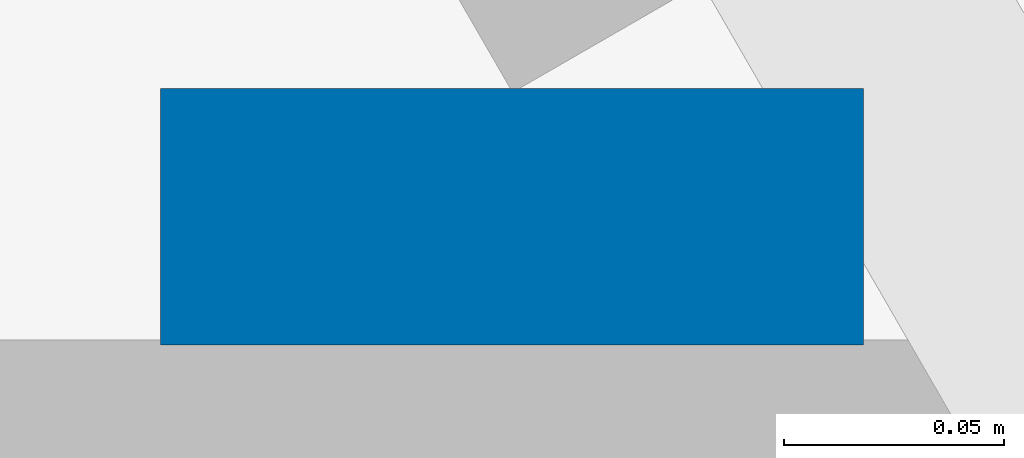
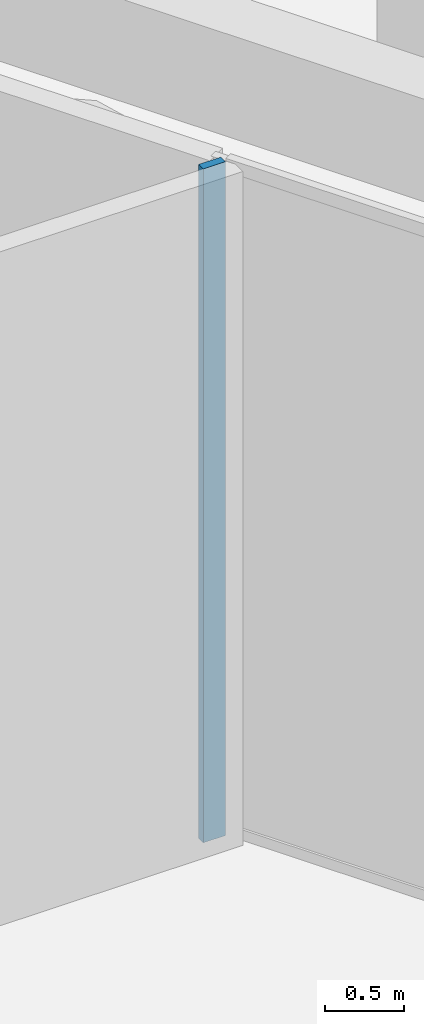
# One storey, part 24 of 32: 1 wall.
"""IFC4 building model written with IfcOpenShell, lengths in metres."""

from ifc_helpers import new_model, si_unit, direction, frame, frame_2d, origin, place, context, subcontext, project, spatial, rectangle, extrude, material, layer, layer_set, type_object, element, save


model = new_model("IFC4")

# Units and contexts
model_context = context("Model", 3, precision=1e-05, world=origin(), true_north=direction((0.0, 1.0)))
body_context = subcontext(model_context, "Body", "Model", "MODEL_VIEW")
ifc_project = project(units=[si_unit("LENGTHUNIT", "METRE"), si_unit("AREAUNIT", "SQUARE_METRE"), si_unit("VOLUMEUNIT", "CUBIC_METRE"), si_unit("PLANEANGLEUNIT", "RADIAN"), si_unit("MASSUNIT", "GRAM", prefix="KILO")], contexts=[model_context])

# Site, building, storey
site_placement = place(None, origin())
site = spatial("IfcSite", under=ifc_project, at=site_placement, CompositionType="ELEMENT")
building_placement = place(site_placement, origin())
building = spatial("IfcBuilding", under=site, at=building_placement, Name="Kolab Exchange Tower", CompositionType="ELEMENT")
storey_placement = place(building_placement, frame((0.0, 0.0, 60.89990234375)))
storey = spatial("IfcBuildingStorey", under=building, at=storey_placement, Name="L11", CompositionType="ELEMENT", Elevation=60.89990234375)

# Wall
ifc_material = material(Name="Aluminium EN AW-6063 T6", Category="aluminium")
ifc_layer = layer(ifc_material, 0.159912109375)
ifc_layer_set = layer_set([ifc_layer], Name="Aluminium EN AW-6063 T6")
wall_type = type_object("IfcWallType", Name="DOOR SURROUND WALL 160 ALUMINIUM FRAMED", PredefinedType="PARTITIONING", material=ifc_layer_set)
wall_placement = place(storey_placement, frame((22.320068359375, 10.13232421875, 0.0), z_axis=(0.0, 0.0, 1.0), x_axis=(0.0, -1.0, 0.0)))
element("IfcWall", 1, at=wall_placement, inside=storey, type_object=wall_type, Name="Door surround wall", PredefinedType="PARTITIONING", context=body_context, shape_type="SweptSolid", body=[
    extrude(rectangle(XDim=0.058349609375, YDim=0.159912109375, at=frame_2d((0.029296875, 0.0))), origin(), (0.0, 0.0, 1.0), 5.2001953125),
])

save(model, "model.ifc")
